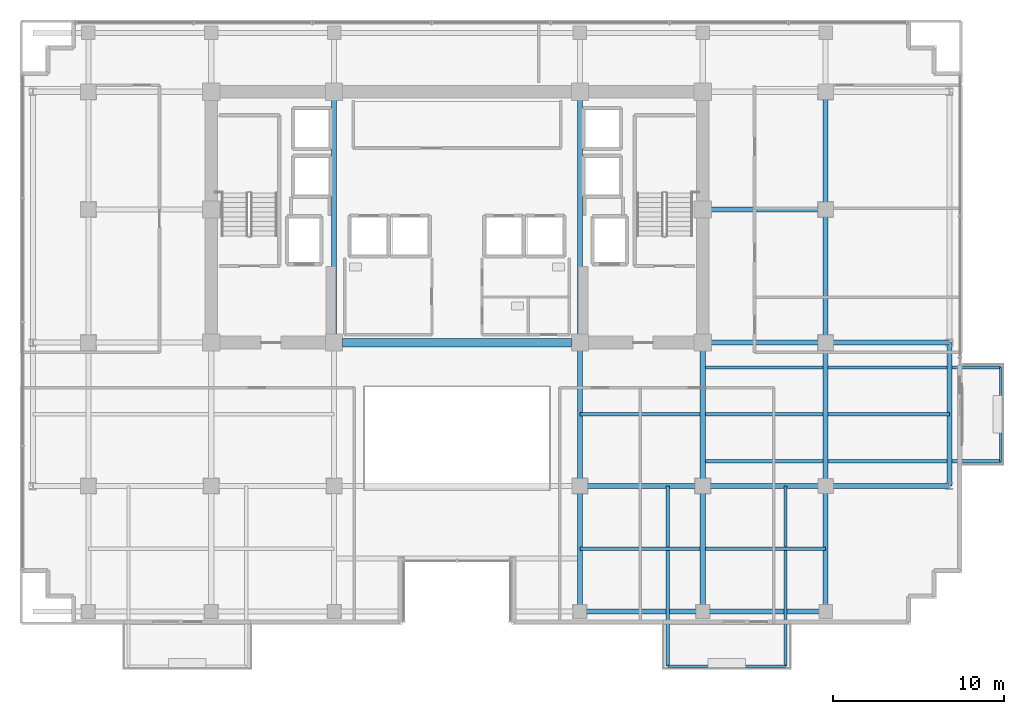
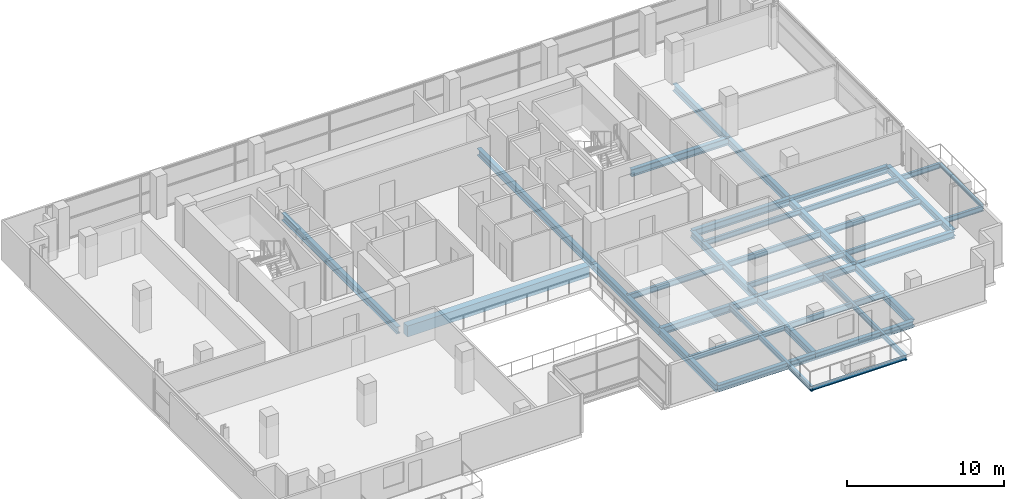
# One storey, part 10 of 25: 31 beams.
"""IFC4 building model written with IfcOpenShell, lengths in metres."""

from ifc_helpers import new_model, si_unit, direction, frame, origin, origin_2d, place, context, subcontext, project, spatial, rectangle, i_section, extrude, material, material_profile, profile_set, type_object, element, save


model = new_model("IFC4")

# Units and contexts
model_context = context("Model", 3, precision=1e-05, world=origin(), true_north=direction((0.0, 1.0)))
body_context = subcontext(model_context, "Body", "Model", "MODEL_VIEW")
ifc_project = project(units=[si_unit("LENGTHUNIT", "METRE"), si_unit("AREAUNIT", "SQUARE_METRE"), si_unit("VOLUMEUNIT", "CUBIC_METRE"), si_unit("PLANEANGLEUNIT", "RADIAN"), si_unit("MASSUNIT", "GRAM", prefix="KILO")], contexts=[model_context])

# Site, building, storey
site_placement = place(None, origin())
site = spatial("IfcSite", under=ifc_project, at=site_placement, CompositionType="ELEMENT")
building_placement = place(site_placement, origin())
building = spatial("IfcBuilding", under=site, at=building_placement, Name="Zarnakvel Exchange Tower", CompositionType="ELEMENT")
storey_placement = place(building_placement, frame((0.0, 0.0, 126.39990234375)))
storey = spatial("IfcBuildingStorey", under=building, at=storey_placement, Name="L35", CompositionType="ELEMENT", Elevation=126.39990234375)

# Beams
ifc_material_1 = material(Name="Steel S355", Category="steel")
ifc_material_profile_1 = material_profile(ifc_material_1, i_section(OverallWidth=0.18994140625, OverallDepth=0.449951171875, WebThickness=0.009521484375, FlangeThickness=0.0146484375, FilletRadius=0.02099609375, at=origin_2d()))
ifc_profile_set_1 = profile_set([ifc_material_profile_1], Name="Steel S355")
beam_type_1 = type_object("IfcBeamType", Name="B-05", PredefinedType="JOIST", material=ifc_profile_set_1)
for number, where, z_axis, x_axis, name in (
    (1, (7.199951171875, -13.27490234375, -0.449951171875), (1.0, 0.0, 0.0), (0.0, 1.0, 0.0), "L35 Composite Floor Secondary Joist"),
    (2, (14.550048828125, -13.27490234375, -0.449951171875), (1.0, 0.0, 0.0), (0.0, 1.0, 0.0), "L35 Composite Floor Secondary Joist"),
    (3, (7.199951171875, -5.39990234375, -0.449951171875), (1.0, 0.0, 0.0), (0.0, 1.0, 0.0), "L35 Composite Floor Secondary Joist"),
):
    element("IfcBeam", number, at=place(storey_placement, frame(where, z_axis=z_axis, x_axis=x_axis)), inside=storey, type_object=beam_type_1, Name=name, PredefinedType="JOIST", context=body_context, shape_type="SweptSolid", body=[
        extrude(i_section(OverallWidth=0.18994140625, OverallDepth=0.449951171875, WebThickness=0.009521484375, FlangeThickness=0.0146484375, FilletRadius=0.02099609375, at=origin_2d()), origin(), (0.0, 0.0, 1.0), 7.050048828125),
    ])
beam_1_placement = place(storey_placement, frame((14.550048828125, -5.39990234375, -0.449951171875), z_axis=(1.0, 0.0, 0.0), x_axis=(0.0, 1.0, 0.0)))
element("IfcBeam", 4, at=beam_1_placement, inside=storey, type_object=beam_type_1, Name="L35 Composite Floor Secondary Joist", PredefinedType="JOIST", context=body_context, shape_type="SweptSolid", body=[
    extrude(i_section(OverallWidth=0.18994140625, OverallDepth=0.449951171875, WebThickness=0.009521484375, FlangeThickness=0.0146484375, FilletRadius=0.02099609375, at=origin_2d()), origin(), (0.0, 0.0, 1.0), 6.89990234375),
])
beam_2_placement = place(storey_placement, frame((21.75, -5.39990234375, -0.449951171875), z_axis=(1.0, 0.0, 0.0), x_axis=(0.0, 1.0, 0.0)))
element("IfcBeam", 5, at=beam_2_placement, inside=storey, type_object=beam_type_1, Name="L35 Composite Floor Secondary Joist", PredefinedType="JOIST", context=body_context, shape_type="SweptSolid", body=[
    extrude(i_section(OverallWidth=0.18994140625, OverallDepth=0.449951171875, WebThickness=0.009521484375, FlangeThickness=0.0146484375, FilletRadius=0.02099609375, at=origin_2d()), origin(), (0.0, 0.0, 1.0), 7.10009765625),
])
ifc_material_profile_2 = material_profile(ifc_material_1, i_section(OverallWidth=0.179931640625, OverallDepth=0.39990234375, WebThickness=0.008544921875, FlangeThickness=0.013427734375, FilletRadius=0.02099609375, at=origin_2d()))
ifc_profile_set_2 = profile_set([ifc_material_profile_2], Name="Steel S355")
beam_type_2 = type_object("IfcBeamType", Name="B-06", PredefinedType="JOIST", material=ifc_profile_set_2)
for number, where, z_axis, x_axis, name in (
    (6, (12.35009765625, -9.60009765625, -0.4248046875), (0.0, -1.0, 0.0), (1.0, 0.0, 0.0), "L35 Continuous Back-Spanned Balcony Beam W"),
    (7, (19.25, -9.60009765625, -0.4248046875), (0.0, -1.0, 0.0), (1.0, 0.0, 0.0), "L35 Continuous Back-Spanned Balcony Beam E"),
):
    element("IfcBeam", number, at=place(storey_placement, frame(where, z_axis=z_axis, x_axis=x_axis)), inside=storey, type_object=beam_type_2, Name=name, PredefinedType="JOIST", context=body_context, shape_type="SweptSolid", body=[
        extrude(i_section(OverallWidth=0.179931640625, OverallDepth=0.39990234375, WebThickness=0.008544921875, FlangeThickness=0.013427734375, FilletRadius=0.02099609375, at=origin_2d()), origin(), (0.0, 0.0, 1.0), 10.5498046875),
    ])
for number, where, z_axis, x_axis, name in (
    (8, (14.39990234375, -8.14990234375, -0.4248046875), (1.0, 0.0, 0.0), (0.0, 1.0, 0.0), "L35 Continuous East Loggia Beam S"),
    (9, (14.39990234375, -2.64990234375, -0.4248046875), (1.0, 0.0, 0.0), (0.0, 1.0, 0.0), "L35 Continuous East Loggia Beam N"),
):
    element("IfcBeam", number, at=place(storey_placement, frame(where, z_axis=z_axis, x_axis=x_axis)), inside=storey, type_object=beam_type_2, Name=name, PredefinedType="JOIST", context=body_context, shape_type="SweptSolid", body=[
        extrude(i_section(OverallWidth=0.179931640625, OverallDepth=0.39990234375, WebThickness=0.008544921875, FlangeThickness=0.013427734375, FilletRadius=0.02099609375, at=origin_2d()), origin(), (0.0, 0.0, 1.0), 17.4501953125),
    ])
ifc_material_profile_3 = material_profile(ifc_material_1, i_section(OverallWidth=0.14990234375, OverallDepth=0.300048828125, WebThickness=0.007080078125, FlangeThickness=0.0107421875, FilletRadius=0.014892578125, at=origin_2d()))
ifc_profile_set_3 = profile_set([ifc_material_profile_3], Name="Steel S355")
beam_type_3 = type_object("IfcBeamType", Name="B-08", PredefinedType="JOIST", material=ifc_profile_set_3)
beam_3_placement = place(storey_placement, frame((12.35009765625, -20.14990234375, -0.375), z_axis=(1.0, 0.0, 0.0), x_axis=(0.0, 1.0, 0.0)))
element("IfcBeam", 10, at=beam_3_placement, inside=storey, type_object=beam_type_3, Name="L35 Balcony Edge Beam", PredefinedType="JOIST", context=body_context, shape_type="SweptSolid", body=[
    extrude(i_section(OverallWidth=0.14990234375, OverallDepth=0.300048828125, WebThickness=0.007080078125, FlangeThickness=0.0107421875, FilletRadius=0.014892578125, at=origin_2d()), origin(), (0.0, 0.0, 1.0), 6.89990234375),
])
beam_4_placement = place(storey_placement, frame((31.85009765625, -8.14990234375, -0.375), z_axis=(0.0, 1.0, 0.0), x_axis=(-1.0, 0.0, 0.0)))
element("IfcBeam", 11, at=beam_4_placement, inside=storey, type_object=beam_type_3, Name="L35 East Loggia Edge Beam", PredefinedType="JOIST", context=body_context, shape_type="SweptSolid", body=[
    extrude(i_section(OverallWidth=0.14990234375, OverallDepth=0.300048828125, WebThickness=0.007080078125, FlangeThickness=0.0107421875, FilletRadius=0.014892578125, at=origin_2d()), origin(), (0.0, 0.0, 1.0), 5.5),
])
ifc_material_2 = material(Name="Concrete C60/75", Category="concrete")
ifc_material_profile_4 = material_profile(ifc_material_2, rectangle(XDim=0.5, YDim=0.85009765625, at=origin_2d()))
ifc_profile_set_4 = profile_set([ifc_material_profile_4], Name="Concrete C60/75")
beam_type_4 = type_object("IfcBeamType", Name="CB-02", PredefinedType="LINTEL", material=ifc_profile_set_4)
beam_5_placement = place(storey_placement, frame((-6.699951171875, -1.199951171875, -0.64990234375), z_axis=(1.0, 0.0, 0.0), x_axis=(0.0, 1.0, 0.0)))
element("IfcBeam", 12, at=beam_5_placement, inside=storey, type_object=beam_type_4, Name="L35 Rear Core South Coupling Beam (CB-02)", PredefinedType="LINTEL", context=body_context, shape_type="SweptSolid", body=[
    extrude(rectangle(XDim=0.5, YDim=0.85009765625, at=origin_2d()), origin(), (0.0, 0.0, 1.0), 13.39990234375),
])
ifc_material_profile_5 = material_profile(ifc_material_1, i_section(OverallWidth=0.300048828125, OverallDepth=0.550048828125, WebThickness=0.014892578125, FlangeThickness=0.029052734375, FilletRadius=0.027099609375, at=origin_2d()))
ifc_profile_set_5 = profile_set([ifc_material_profile_5], Name="Steel S355")
beam_type_5 = type_object("IfcBeamType", Name="G-05", PredefinedType="BEAM", material=ifc_profile_set_5)
beam_6_placement = place(storey_placement, frame((7.199951171875, -9.60009765625, -0.5), z_axis=(1.0, 0.0, 0.0), x_axis=(0.0, 1.0, 0.0)))
element("IfcBeam", 13, at=beam_6_placement, inside=storey, type_object=beam_type_5, Name="L35 Tower E-W Frame Beam", PredefinedType="BEAM", context=body_context, shape_type="SweptSolid", body=[
    extrude(i_section(OverallWidth=0.300048828125, OverallDepth=0.550048828125, WebThickness=0.014892578125, FlangeThickness=0.029052734375, FilletRadius=0.027099609375, at=origin_2d()), origin(), (0.0, 0.0, 1.0), 7.199951171875),
])
beam_7_placement = place(storey_placement, frame((14.39990234375, -9.60009765625, -0.5), z_axis=(1.0, 0.0, 0.0), x_axis=(0.0, 1.0, 0.0)))
element("IfcBeam", 14, at=beam_7_placement, inside=storey, type_object=beam_type_5, Name="L35 Tower E-W Frame Beam", PredefinedType="BEAM", context=body_context, shape_type="SweptSolid", body=[
    extrude(i_section(OverallWidth=0.300048828125, OverallDepth=0.550048828125, WebThickness=0.014892578125, FlangeThickness=0.029052734375, FilletRadius=0.027099609375, at=origin_2d()), origin(), (0.0, 0.0, 1.0), 7.2001953125),
])
beam_8_placement = place(storey_placement, frame((21.60009765625, -9.60009765625, -0.5), z_axis=(1.0, 0.0, 0.0), x_axis=(0.0, 1.0, 0.0)))
element("IfcBeam", 15, at=beam_8_placement, inside=storey, type_object=beam_type_5, Name="L35 Tower E-W Frame Beam", PredefinedType="BEAM", context=body_context, shape_type="SweptSolid", body=[
    extrude(i_section(OverallWidth=0.300048828125, OverallDepth=0.550048828125, WebThickness=0.014892578125, FlangeThickness=0.029052734375, FilletRadius=0.027099609375, at=origin_2d()), origin(), (0.0, 0.0, 1.0), 7.25),
])
beam_9_placement = place(storey_placement, frame((14.39990234375, -1.199951171875, -0.5), z_axis=(1.0, 0.0, 0.0), x_axis=(0.0, 1.0, 0.0)))
element("IfcBeam", 16, at=beam_9_placement, inside=storey, type_object=beam_type_5, Name="L35 Tower E-W Frame Beam", PredefinedType="BEAM", context=body_context, shape_type="SweptSolid", body=[
    extrude(i_section(OverallWidth=0.300048828125, OverallDepth=0.550048828125, WebThickness=0.014892578125, FlangeThickness=0.029052734375, FilletRadius=0.027099609375, at=origin_2d()), origin(), (0.0, 0.0, 1.0), 7.2001953125),
])
beam_10_placement = place(storey_placement, frame((21.60009765625, -1.199951171875, -0.5), z_axis=(1.0, 0.0, 0.0), x_axis=(0.0, 1.0, 0.0)))
element("IfcBeam", 17, at=beam_10_placement, inside=storey, type_object=beam_type_5, Name="L35 Tower E-W Frame Beam", PredefinedType="BEAM", context=body_context, shape_type="SweptSolid", body=[
    extrude(i_section(OverallWidth=0.300048828125, OverallDepth=0.550048828125, WebThickness=0.014892578125, FlangeThickness=0.029052734375, FilletRadius=0.027099609375, at=origin_2d()), origin(), (0.0, 0.0, 1.0), 7.25),
])
beam_11_placement = place(storey_placement, frame((14.39990234375, 6.60009765625, -0.5), z_axis=(1.0, 0.0, 0.0), x_axis=(0.0, 1.0, 0.0)))
element("IfcBeam", 18, at=beam_11_placement, inside=storey, type_object=beam_type_5, Name="L35 Tower E-W Frame Beam", PredefinedType="BEAM", context=body_context, shape_type="SweptSolid", body=[
    extrude(i_section(OverallWidth=0.300048828125, OverallDepth=0.550048828125, WebThickness=0.014892578125, FlangeThickness=0.029052734375, FilletRadius=0.027099609375, at=origin_2d()), origin(), (0.0, 0.0, 1.0), 7.2001953125),
])
beam_12_placement = place(storey_placement, frame((-7.199951171875, -1.199951171875, -0.5), z_axis=(0.0, 1.0, 0.0), x_axis=(-1.0, 0.0, 0.0)))
element("IfcBeam", 19, at=beam_12_placement, inside=storey, type_object=beam_type_5, Name="L35 Tower N-S Frame Beam", PredefinedType="BEAM", context=body_context, shape_type="SweptSolid", body=[
    extrude(i_section(OverallWidth=0.300048828125, OverallDepth=0.550048828125, WebThickness=0.014892578125, FlangeThickness=0.029052734375, FilletRadius=0.027099609375, at=origin_2d()), origin(), (0.0, 0.0, 1.0), 14.699951171875),
])
beam_13_placement = place(storey_placement, frame((7.199951171875, -16.949951171875, -0.5), z_axis=(0.0, 1.0, 0.0), x_axis=(-1.0, 0.0, 0.0)))
element("IfcBeam", 20, at=beam_13_placement, inside=storey, type_object=beam_type_5, Name="L35 Tower N-S Frame Beam", PredefinedType="BEAM", context=body_context, shape_type="SweptSolid", body=[
    extrude(i_section(OverallWidth=0.300048828125, OverallDepth=0.550048828125, WebThickness=0.014892578125, FlangeThickness=0.029052734375, FilletRadius=0.027099609375, at=origin_2d()), origin(), (0.0, 0.0, 1.0), 7.349853515625),
])
beam_14_placement = place(storey_placement, frame((7.199951171875, -9.60009765625, -0.5), z_axis=(0.0, 1.0, 0.0), x_axis=(-1.0, 0.0, 0.0)))
element("IfcBeam", 21, at=beam_14_placement, inside=storey, type_object=beam_type_5, Name="L35 Tower N-S Frame Beam", PredefinedType="BEAM", context=body_context, shape_type="SweptSolid", body=[
    extrude(i_section(OverallWidth=0.300048828125, OverallDepth=0.550048828125, WebThickness=0.014892578125, FlangeThickness=0.029052734375, FilletRadius=0.027099609375, at=origin_2d()), origin(), (0.0, 0.0, 1.0), 8.400146484375),
])
beam_15_placement = place(storey_placement, frame((7.199951171875, -1.199951171875, -0.5), z_axis=(0.0, 1.0, 0.0), x_axis=(-1.0, 0.0, 0.0)))
element("IfcBeam", 22, at=beam_15_placement, inside=storey, type_object=beam_type_5, Name="L35 Tower N-S Frame Beam", PredefinedType="BEAM", context=body_context, shape_type="SweptSolid", body=[
    extrude(i_section(OverallWidth=0.300048828125, OverallDepth=0.550048828125, WebThickness=0.014892578125, FlangeThickness=0.029052734375, FilletRadius=0.027099609375, at=origin_2d()), origin(), (0.0, 0.0, 1.0), 14.699951171875),
])
beam_16_placement = place(storey_placement, frame((14.39990234375, -16.949951171875, -0.5), z_axis=(0.0, 1.0, 0.0), x_axis=(-1.0, 0.0, 0.0)))
element("IfcBeam", 23, at=beam_16_placement, inside=storey, type_object=beam_type_5, Name="L35 Tower N-S Frame Beam", PredefinedType="BEAM", context=body_context, shape_type="SweptSolid", body=[
    extrude(i_section(OverallWidth=0.300048828125, OverallDepth=0.550048828125, WebThickness=0.014892578125, FlangeThickness=0.029052734375, FilletRadius=0.027099609375, at=origin_2d()), origin(), (0.0, 0.0, 1.0), 7.349853515625),
])
beam_17_placement = place(storey_placement, frame((14.39990234375, -9.60009765625, -0.5), z_axis=(0.0, 1.0, 0.0), x_axis=(-1.0, 0.0, 0.0)))
element("IfcBeam", 24, at=beam_17_placement, inside=storey, type_object=beam_type_5, Name="L35 Tower N-S Frame Beam", PredefinedType="BEAM", context=body_context, shape_type="SweptSolid", body=[
    extrude(i_section(OverallWidth=0.300048828125, OverallDepth=0.550048828125, WebThickness=0.014892578125, FlangeThickness=0.029052734375, FilletRadius=0.027099609375, at=origin_2d()), origin(), (0.0, 0.0, 1.0), 8.400146484375),
])
beam_18_placement = place(storey_placement, frame((21.60009765625, -16.949951171875, -0.5), z_axis=(0.0, 1.0, 0.0), x_axis=(-1.0, 0.0, 0.0)))
element("IfcBeam", 25, at=beam_18_placement, inside=storey, type_object=beam_type_5, Name="L35 Tower N-S Frame Beam", PredefinedType="BEAM", context=body_context, shape_type="SweptSolid", body=[
    extrude(i_section(OverallWidth=0.300048828125, OverallDepth=0.550048828125, WebThickness=0.014892578125, FlangeThickness=0.029052734375, FilletRadius=0.027099609375, at=origin_2d()), origin(), (0.0, 0.0, 1.0), 7.349853515625),
])
beam_19_placement = place(storey_placement, frame((21.60009765625, -9.60009765625, -0.5), z_axis=(0.0, 1.0, 0.0), x_axis=(-1.0, 0.0, 0.0)))
element("IfcBeam", 26, at=beam_19_placement, inside=storey, type_object=beam_type_5, Name="L35 Tower N-S Frame Beam", PredefinedType="BEAM", context=body_context, shape_type="SweptSolid", body=[
    extrude(i_section(OverallWidth=0.300048828125, OverallDepth=0.550048828125, WebThickness=0.014892578125, FlangeThickness=0.029052734375, FilletRadius=0.027099609375, at=origin_2d()), origin(), (0.0, 0.0, 1.0), 8.400146484375),
])
beam_20_placement = place(storey_placement, frame((21.60009765625, -1.199951171875, -0.5), z_axis=(0.0, 1.0, 0.0), x_axis=(-1.0, 0.0, 0.0)))
element("IfcBeam", 27, at=beam_20_placement, inside=storey, type_object=beam_type_5, Name="L35 Tower N-S Frame Beam", PredefinedType="BEAM", context=body_context, shape_type="SweptSolid", body=[
    extrude(i_section(OverallWidth=0.300048828125, OverallDepth=0.550048828125, WebThickness=0.014892578125, FlangeThickness=0.029052734375, FilletRadius=0.027099609375, at=origin_2d()), origin(), (0.0, 0.0, 1.0), 7.800048828125),
])
beam_21_placement = place(storey_placement, frame((21.60009765625, 6.60009765625, -0.5), z_axis=(0.0, 1.0, 0.0), x_axis=(-1.0, 0.0, 0.0)))
element("IfcBeam", 28, at=beam_21_placement, inside=storey, type_object=beam_type_5, Name="L35 Tower N-S Frame Beam", PredefinedType="BEAM", context=body_context, shape_type="SweptSolid", body=[
    extrude(i_section(OverallWidth=0.300048828125, OverallDepth=0.550048828125, WebThickness=0.014892578125, FlangeThickness=0.029052734375, FilletRadius=0.027099609375, at=origin_2d()), origin(), (0.0, 0.0, 1.0), 6.89990234375),
])
ifc_material_profile_6 = material_profile(ifc_material_1, i_section(OverallWidth=0.300048828125, OverallDepth=0.5, WebThickness=0.014404296875, FlangeThickness=0.028076171875, FilletRadius=0.027099609375, at=origin_2d()))
ifc_profile_set_6 = profile_set([ifc_material_profile_6], Name="Steel S355")
beam_type_6 = type_object("IfcBeamType", Name="SP-02", PredefinedType="SPANDREL", material=ifc_profile_set_6)
beam_22_placement = place(storey_placement, frame((7.199951171875, -16.949951171875, -0.474853515625), z_axis=(1.0, 0.0, 0.0), x_axis=(0.0, 1.0, 0.0)))
element("IfcBeam", 29, at=beam_22_placement, inside=storey, type_object=beam_type_6, Name="L35 Tower E-W Frame Beam", PredefinedType="SPANDREL", context=body_context, shape_type="SweptSolid", body=[
    extrude(i_section(OverallWidth=0.300048828125, OverallDepth=0.5, WebThickness=0.014404296875, FlangeThickness=0.028076171875, FilletRadius=0.027099609375, at=origin_2d()), origin(), (0.0, 0.0, 1.0), 7.199951171875),
])
beam_23_placement = place(storey_placement, frame((14.39990234375, -16.949951171875, -0.474853515625), z_axis=(1.0, 0.0, 0.0), x_axis=(0.0, 1.0, 0.0)))
element("IfcBeam", 30, at=beam_23_placement, inside=storey, type_object=beam_type_6, Name="L35 Tower E-W Frame Beam", PredefinedType="SPANDREL", context=body_context, shape_type="SweptSolid", body=[
    extrude(i_section(OverallWidth=0.300048828125, OverallDepth=0.5, WebThickness=0.014404296875, FlangeThickness=0.028076171875, FilletRadius=0.027099609375, at=origin_2d()), origin(), (0.0, 0.0, 1.0), 7.2001953125),
])
beam_24_placement = place(storey_placement, frame((28.85009765625, -9.60009765625, -0.474853515625), z_axis=(0.0, 1.0, 0.0), x_axis=(-1.0, 0.0, 0.0)))
element("IfcBeam", 31, at=beam_24_placement, inside=storey, type_object=beam_type_6, Name="L35 Tower N-S Frame Beam", PredefinedType="SPANDREL", context=body_context, shape_type="SweptSolid", body=[
    extrude(i_section(OverallWidth=0.300048828125, OverallDepth=0.5, WebThickness=0.014404296875, FlangeThickness=0.028076171875, FilletRadius=0.027099609375, at=origin_2d()), origin(), (0.0, 0.0, 1.0), 8.400146484375),
])

save(model, "model.ifc")
